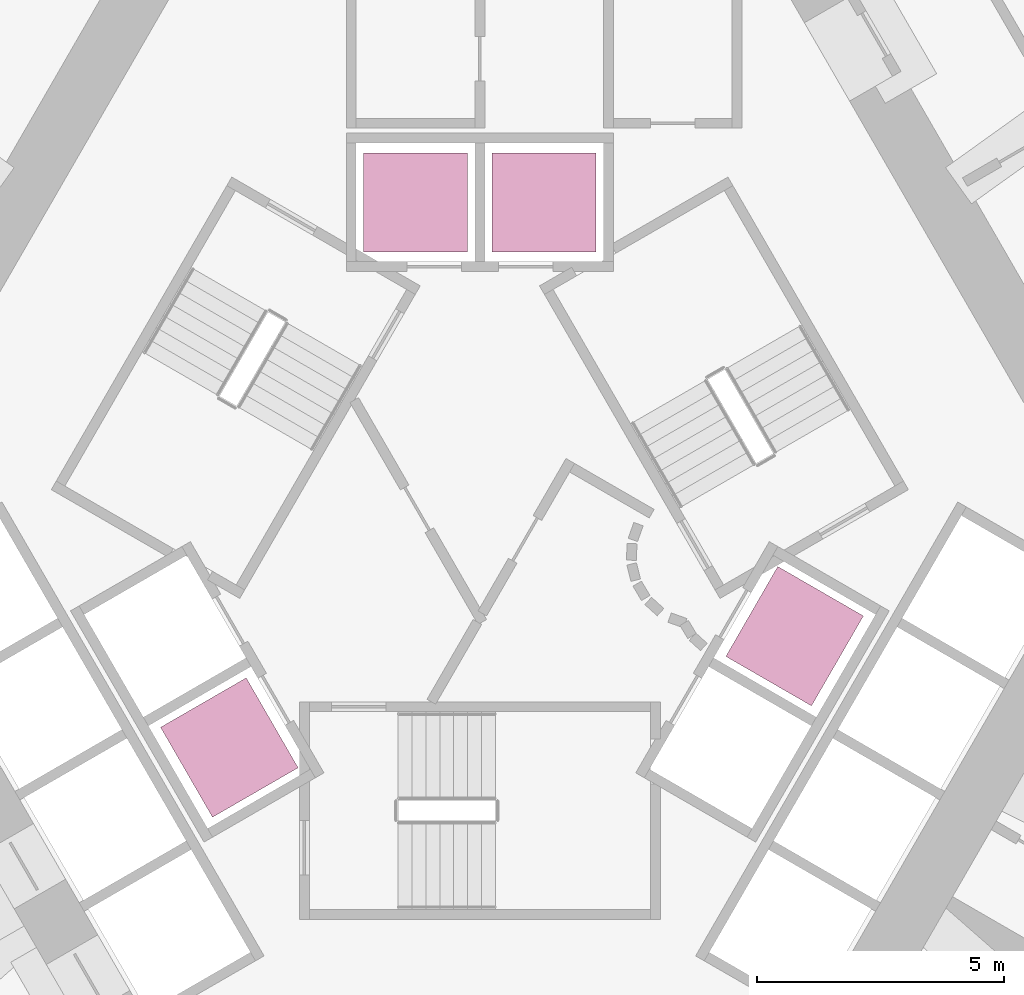
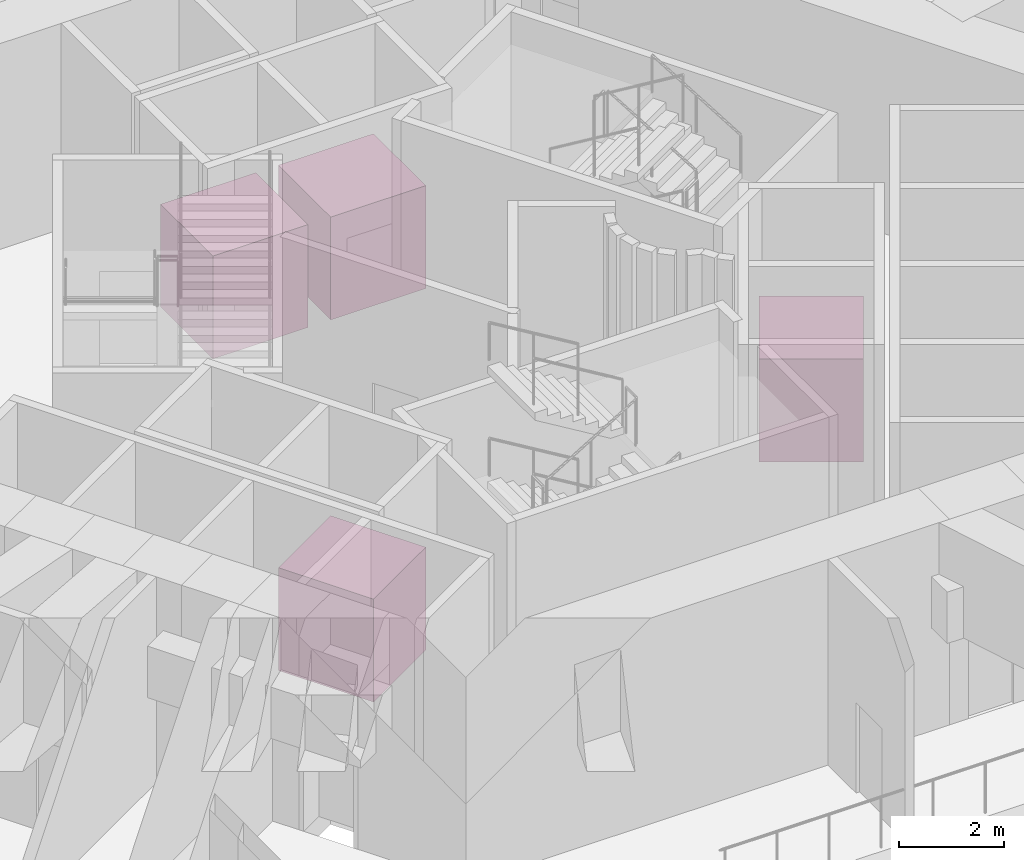
# One storey, part 20 of 20: 4 transport elements.
"""IFC4 building model written with IfcOpenShell, lengths in metres."""

from ifc_helpers import new_model, si_unit, direction, frame, origin, origin_2d, place, context, subcontext, project, spatial, rectangle, extrude, material, type_object, element, save


model = new_model("IFC4")

# Units and contexts
model_context = context("Model", 3, precision=1e-05, world=origin(), true_north=direction((0.0, 1.0)))
body_context = subcontext(model_context, "Body", "Model", "MODEL_VIEW")
ifc_project = project(units=[si_unit("LENGTHUNIT", "METRE"), si_unit("AREAUNIT", "SQUARE_METRE"), si_unit("VOLUMEUNIT", "CUBIC_METRE"), si_unit("PLANEANGLEUNIT", "RADIAN"), si_unit("MASSUNIT", "GRAM", prefix="KILO")], contexts=[model_context])

# Site, building, storey
site_placement = place(None, origin())
site = spatial("IfcSite", under=ifc_project, at=site_placement, CompositionType="ELEMENT")
building_placement = place(site_placement, origin())
building = spatial("IfcBuilding", under=site, at=building_placement, Name="Entoto Arch Interchange Tower", CompositionType="ELEMENT")
storey_placement = place(building_placement, frame((0.0, 0.0, 184.39990234375)))
storey = spatial("IfcBuildingStorey", under=building, at=storey_placement, Name="L41", CompositionType="ELEMENT", Elevation=184.39990234375)

# Transport elements
ifc_material = material(Name="Stainless steel 1.4301 panels", Category="steel")
transport_element_type = type_object("IfcTransportElementType", Name="PASSENGER LIFT CAR 2000 KG 2100 X 2000", PredefinedType="ELEVATOR", material=ifc_material)
for number, where, z_axis, x_axis, name in (
    (1, (1.300048828125, 9.10009765625, 0.000244140625), (0.0, 0.0, 1.0), (1.0, 0.0, 0.0), "Lift car HR1"),
    (2, (-1.300048828125, 9.10009765625, 0.000244140625), (0.0, 0.0, 1.0), (1.0, 0.0, 0.0), "Lift car HR2"),
    (3, (6.365966796875, 0.325927734375, 0.000244140625), (0.0, 0.0, 1.0), (-0.5, -0.866025403784, 0.0), "Lift car HR3"),
    (4, (-5.06591796875, -1.926025390625, 0.000244140625), (0.0, 0.0, 1.0), (-0.5, 0.866025403784, 0.0), "Lift car HR4"),
):
    element("IfcTransportElement", number, at=place(storey_placement, frame(where, z_axis=z_axis, x_axis=x_axis)), inside=storey, type_object=transport_element_type, Name=name, PredefinedType="ELEVATOR", context=body_context, shape_type="SweptSolid", body=[
        extrude(rectangle(XDim=2.10009765625, YDim=2.0, at=origin_2d()), origin(), (0.0, 0.0, 1.0), 2.39990234375),
    ])

save(model, "model.ifc")
